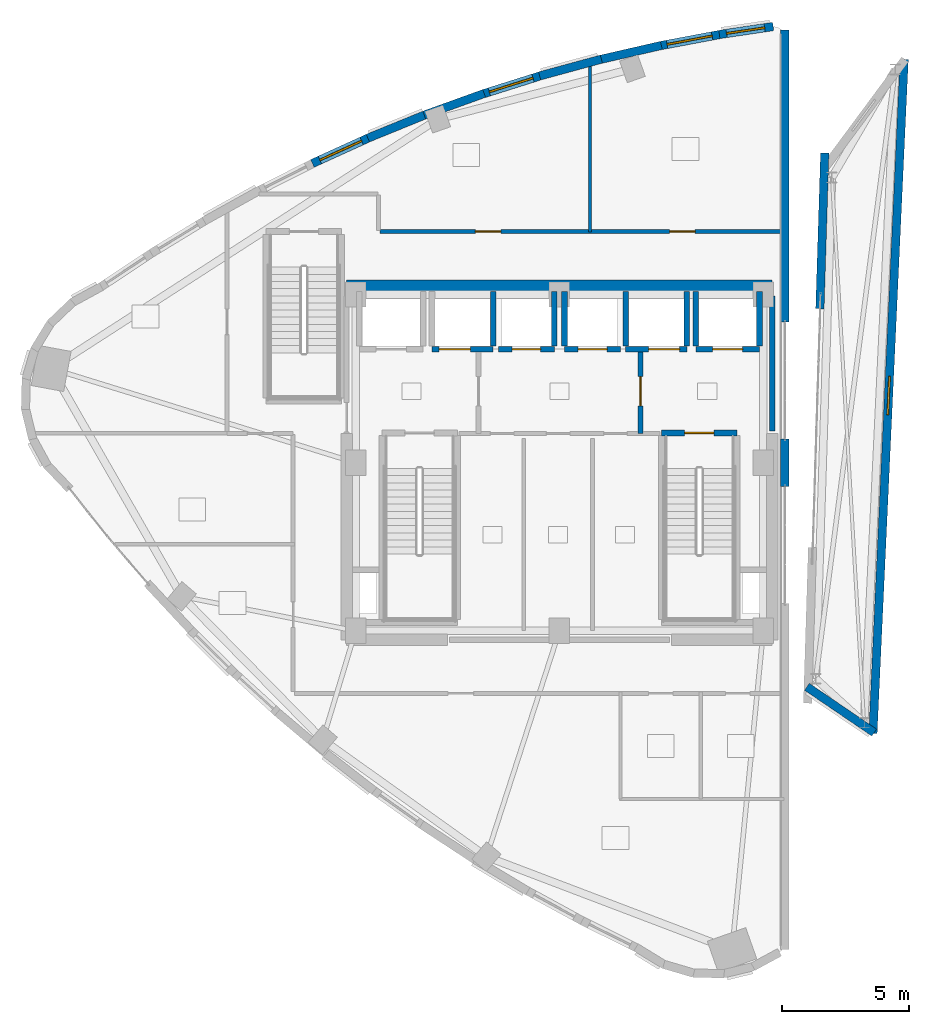
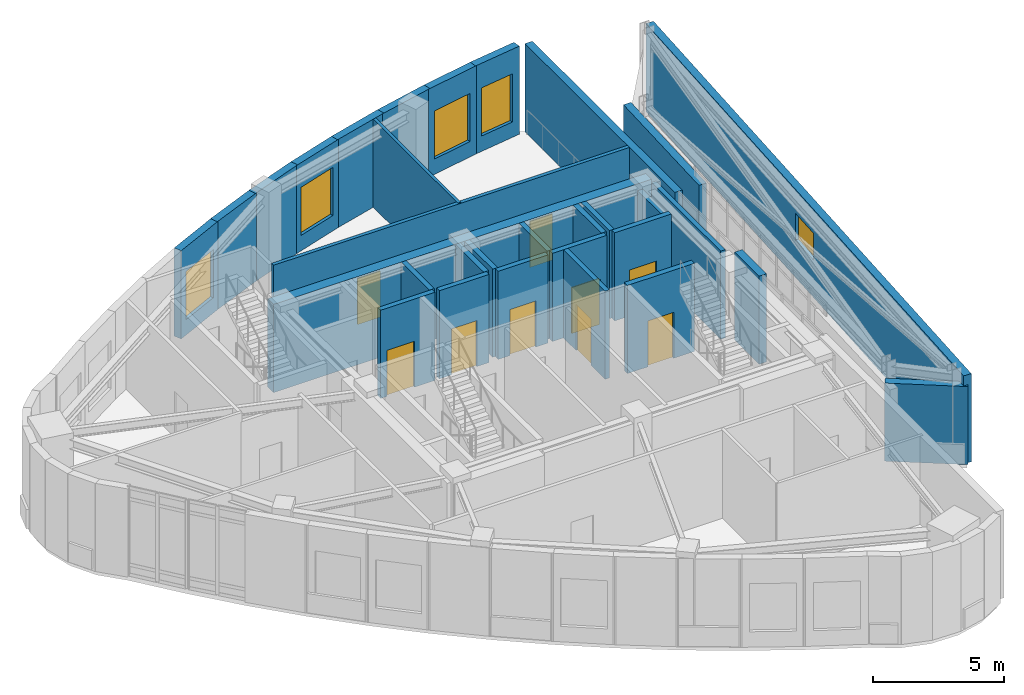
# One storey, part 15 of 19: 31 walls, 9 doors, 5 windows, 14 openings.
"""IFC4 building model written with IfcOpenShell, lengths in metres."""

from ifc_helpers import new_model, si_unit, direction, frame, frame_2d, origin, place, context, subcontext, project, spatial, rectangle, extrude, material, layer, layer_set, type_object, element, fill, save


model = new_model("IFC4")

# Units and contexts
model_context = context("Model", 3, precision=1e-05, world=origin(), true_north=direction((0.0, 1.0)))
body_context = subcontext(model_context, "Body", "Model", "MODEL_VIEW")
ifc_project = project(units=[si_unit("LENGTHUNIT", "METRE"), si_unit("AREAUNIT", "SQUARE_METRE"), si_unit("VOLUMEUNIT", "CUBIC_METRE"), si_unit("PLANEANGLEUNIT", "RADIAN"), si_unit("MASSUNIT", "GRAM", prefix="KILO")], contexts=[model_context])

# Site, building, storey
site_placement = place(None, origin())
site = spatial("IfcSite", under=ifc_project, at=site_placement, CompositionType="ELEMENT")
building_placement = place(site_placement, origin())
building = spatial("IfcBuilding", under=site, at=building_placement, Name="Ndelora Gate Hotel", CompositionType="ELEMENT")
storey_placement = place(building_placement, frame((0.0, 0.0, 299.199951171875)))
storey = spatial("IfcBuildingStorey", under=building, at=storey_placement, Name="L74", CompositionType="ELEMENT", Elevation=299.199951171875)

# Walls
ifc_material_1 = material(Name="Clay Brick Masonry", Category="masonry")
ifc_layer_1 = layer(ifc_material_1, 0.330078125)
ifc_layer_set_1 = layer_set([ifc_layer_1], Name="Clay Brick Masonry")
wall_type_1 = type_object("IfcWallType", Name="WL-BRICK-330", PredefinedType="SOLIDWALL", material=ifc_layer_set_1)
wall_1_placement = place(storey_placement, frame((8.85009765625, 0.929931640625, 0.0), z_axis=(0.0, 0.0, 1.0), x_axis=(0.0, -1.0, 0.0)))
element("IfcWall", 1, at=wall_1_placement, inside=storey, type_object=wall_type_1, Name="L74 West Crown Canyon Brick Pier 2", PredefinedType="SOLIDWALL", context=body_context, shape_type="SweptSolid", body=[
    extrude(rectangle(XDim=1.85986328125, YDim=0.330078125, at=frame_2d((0.929931640625, 0.0))), origin(), (0.0, 0.0, 1.0), 4.1201171875),
])
wall_2_placement = place(storey_placement, frame((8.85009765625, 16.986572265625, 0.0), z_axis=(0.0, 0.0, 1.0), x_axis=(0.0, -1.0, 0.0)))
element("IfcWall", 2, at=wall_2_placement, inside=storey, type_object=wall_type_1, Name="L74 West Crown Canyon Brick Pier 3", PredefinedType="SOLIDWALL", context=body_context, shape_type="SweptSolid", body=[
    extrude(rectangle(XDim=11.466552734375, YDim=0.330078125, at=frame_2d((5.7333984375, 0.0))), origin(), (0.0, 0.0, 1.0), 4.1201171875),
])
wall_3_placement = place(storey_placement, frame((10.220703125, 6.041015625, 0.0), z_axis=(0.0, 0.0, 1.0), x_axis=(0.031147484759, 0.999514799387, 0.0)))
element("IfcWall", 3, at=wall_3_placement, inside=storey, type_object=wall_type_1, Name="L74 East Crown Canyon Brick Pier 2", PredefinedType="SOLIDWALL", context=body_context, shape_type="SweptSolid", body=[
    extrude(rectangle(XDim=6.11376953125, YDim=0.330078125, at=frame_2d((3.056884765625, 0.0))), origin(), (0.0, 0.0, 1.0), 3.650146484375),
])

# Wall, opening, window
wall_4_placement = place(storey_placement, frame((6.27734375, 16.80419921875, 0.0), z_axis=(0.0, 0.0, 1.0), x_axis=(0.989170885367, 0.146768387409, 0.0)))
wall_4 = element("IfcWall", 4, at=wall_4_placement, inside=storey, type_object=wall_type_1, Name="L74 Tower Brick Pier-and-Spandrel Wall WPK-52", PredefinedType="SOLIDWALL", context=body_context, shape_type="SweptSolid", body=[
    extrude(rectangle(XDim=2.13427734375, YDim=0.330078125, at=frame_2d((1.067138671875, 0.0))), origin(), (0.0, 0.0, 1.0), 4.1201171875),
])
opening_1_placement = place(wall_4_placement, frame((0.281982421875, 0.0, 0.719970703125)))
opening_1 = element("IfcOpeningElement", 5, at=opening_1_placement, cuts=wall_4, Name="Opening W06", PredefinedType="OPENING", context=body_context, shape_type="SweptSolid", body=[
    extrude(rectangle(XDim=1.510009765625, YDim=2.25, at=frame_2d((0.7548828125, 1.125))), frame((0.0, 0.175048828125, 0.0), z_axis=(0.0, -1.0, 0.0), x_axis=(1.0, 0.0, 0.0)), (0.0, 0.0, 1.0), 0.35009765625),
])
ifc_material_2 = material(Name="Insulated Low-E Double Glazing in Bronze Aluminium Frame", Category="aluminium")
window_type_1 = type_object("IfcWindowType", Name="WN-OBS-1800", PartitioningType="SINGLE_PANEL", PredefinedType="WINDOW", material=ifc_material_2)
window_1_placement = place(opening_1_placement, origin())
window_1 = element("IfcWindow", 6, at=window_1_placement, inside=storey, type_object=window_type_1, Name="L74 Deep-Set Brick-Pier Window W06", OverallHeight=2.25, OverallWidth=1.510009765625, PartitioningType="SINGLE_PANEL", PredefinedType="WINDOW", context=body_context, shape_type="SweptSolid", body=[
    extrude(rectangle(XDim=1.510009765625, YDim=2.25, at=frame_2d((0.7548828125, 1.125))), frame((0.0, 0.030029296875, 0.0), z_axis=(0.0, -1.0, 0.0), x_axis=(1.0, 0.0, 0.0)), (0.0, 0.0, 1.0), 0.06005859375),
])
fill(opening_1, window_1)

wall_5_placement = place(storey_placement, frame((3.890869140625, 16.352294921875, 0.0), z_axis=(0.0, 0.0, 1.0), x_axis=(0.982698658406, 0.185211626978, 0.0)))
wall_5 = element("IfcWall", 7, at=wall_5_placement, inside=storey, type_object=wall_type_1, Name="L74 Tower Brick Pier-and-Spandrel Wall WPK-53", PredefinedType="SOLIDWALL", context=body_context, shape_type="SweptSolid", body=[
    extrude(rectangle(XDim=2.538818359375, YDim=0.330078125, at=frame_2d((1.26953125, 0.0))), origin(), (0.0, 0.0, 1.0), 4.1201171875),
])
opening_2_placement = place(wall_5_placement, frame((0.33935546875, 0.0, 0.719970703125)))
opening_2 = element("IfcOpeningElement", 8, at=opening_2_placement, cuts=wall_5, Name="Opening W06", PredefinedType="OPENING", context=body_context, shape_type="SweptSolid", body=[
    extrude(rectangle(XDim=1.800048828125, YDim=2.25, at=frame_2d((0.89990234375, 1.125))), frame((0.0, 0.175048828125, 0.0), z_axis=(0.0, -1.0, 0.0), x_axis=(1.0, 0.0, 0.0)), (0.0, 0.0, 1.0), 0.35009765625),
])
window_2_placement = place(opening_2_placement, origin())
window_2 = element("IfcWindow", 9, at=window_2_placement, inside=storey, type_object=window_type_1, Name="L74 Deep-Set Brick-Pier Window W06", OverallHeight=2.25, OverallWidth=1.800048828125, PartitioningType="SINGLE_PANEL", PredefinedType="WINDOW", context=body_context, shape_type="SweptSolid", body=[
    extrude(rectangle(XDim=1.800048828125, YDim=2.25, at=frame_2d((0.89990234375, 1.125))), frame((0.0, 0.030029296875, 0.0), z_axis=(0.0, -1.0, 0.0), x_axis=(1.0, 0.0, 0.0)), (0.0, 0.0, 1.0), 0.06005859375),
])
fill(opening_2, window_2)

# Walls
wall_6_placement = place(storey_placement, frame((1.539306640625, 15.810302734375, 0.0), z_axis=(0.0, 0.0, 1.0), x_axis=(0.974635230038, 0.223799393138, 0.0)))
element("IfcWall", 10, at=wall_6_placement, inside=storey, type_object=wall_type_1, Name="L74 Tower Brick Pier-and-Spandrel Wall WPK-54", PredefinedType="SOLIDWALL", context=body_context, shape_type="SweptSolid", body=[
    extrude(rectangle(XDim=2.523193359375, YDim=0.330078125, at=frame_2d((1.26171875, 0.0))), origin(), (0.0, 0.0, 1.0), 4.1201171875),
])
wall_7_placement = place(storey_placement, frame((-0.777099609375, 15.177734375, 0.0), z_axis=(0.0, 0.0, 1.0), x_axis=(0.964907263861, 0.262590883596, 0.0)))
element("IfcWall", 11, at=wall_7_placement, inside=storey, type_object=wall_type_1, Name="L74 Tower Brick Pier-and-Spandrel Wall WPK-55", PredefinedType="SOLIDWALL", context=body_context, shape_type="SweptSolid", body=[
    extrude(rectangle(XDim=2.51123046875, YDim=0.330078125, at=frame_2d((1.255615234375, 0.0))), origin(), (0.0, 0.0, 1.0), 4.1201171875),
])

# Wall, opening, window
wall_8_placement = place(storey_placement, frame((-3.05859375, 14.454833984375, 0.0), z_axis=(0.0, 0.0, 1.0), x_axis=(0.953576769374, 0.301150037209, 0.0)))
wall_8 = element("IfcWall", 12, at=wall_8_placement, inside=storey, type_object=wall_type_1, Name="L74 Tower Brick Pier-and-Spandrel Wall WPK-56", PredefinedType="SOLIDWALL", context=body_context, shape_type="SweptSolid", body=[
    extrude(rectangle(XDim=2.50341796875, YDim=0.330078125, at=frame_2d((1.251708984375, 0.0))), origin(), (0.0, 0.0, 1.0), 4.1201171875),
])
opening_3_placement = place(wall_8_placement, frame((0.321533203125, 0.0, 0.719970703125)))
opening_3 = element("IfcOpeningElement", 13, at=opening_3_placement, cuts=wall_8, Name="Opening W06", PredefinedType="OPENING", context=body_context, shape_type="SweptSolid", body=[
    extrude(rectangle(XDim=1.800048828125, YDim=2.25, at=frame_2d((0.89990234375, 1.125))), frame((0.0, 0.175048828125, 0.0), z_axis=(0.0, -1.0, 0.0), x_axis=(1.0, 0.0, 0.0)), (0.0, 0.0, 1.0), 0.35009765625),
])
window_3_placement = place(opening_3_placement, origin())
window_3 = element("IfcWindow", 14, at=window_3_placement, inside=storey, type_object=window_type_1, Name="L74 Deep-Set Brick-Pier Window W06", OverallHeight=2.25, OverallWidth=1.800048828125, PartitioningType="SINGLE_PANEL", PredefinedType="WINDOW", context=body_context, shape_type="SweptSolid", body=[
    extrude(rectangle(XDim=1.800048828125, YDim=2.25, at=frame_2d((0.89990234375, 1.125))), frame((0.0, 0.030029296875, 0.0), z_axis=(0.0, -1.0, 0.0), x_axis=(1.0, 0.0, 0.0)), (0.0, 0.0, 1.0), 0.06005859375),
])
fill(opening_3, window_3)

# Walls
for number, where, z_axis, x_axis, name in (
    (15, (-5.30517578125, 13.6416015625, 0.0), (0.0, 0.0, 1.0), (0.940589433812, 0.33954604548, 0.0), "L74 Tower Brick Pier-and-Spandrel Wall WPK-57"),
    (16, (-7.51708984375, 12.73779296875, 0.0), (0.0, 0.0, 1.0), (0.926065809797, 0.377362048866, 0.0), "L74 Tower Brick Pier-and-Spandrel Wall WPK-58"),
):
    element("IfcWall", number, at=place(storey_placement, frame(where, z_axis=z_axis, x_axis=x_axis)), inside=storey, type_object=wall_type_1, Name=name, PredefinedType="SOLIDWALL", context=body_context, shape_type="SweptSolid", body=[
        extrude(rectangle(XDim=2.499267578125, YDim=0.330078125, at=frame_2d((1.24951171875, 0.0))), origin(), (0.0, 0.0, 1.0), 4.1201171875),
    ])

# Wall, opening, window
wall_9_placement = place(storey_placement, frame((-9.694091796875, 11.743896484375, 0.0), z_axis=(0.0, 0.0, 1.0), x_axis=(0.910048904543, 0.414500894257, 0.0)))
wall_9 = element("IfcWall", 17, at=wall_9_placement, inside=storey, type_object=wall_type_1, Name="L74 Tower Brick Pier-and-Spandrel Wall WPK-59", PredefinedType="SOLIDWALL", context=body_context, shape_type="SweptSolid", body=[
    extrude(rectangle(XDim=2.503173828125, YDim=0.330078125, at=frame_2d((1.25146484375, 0.0))), origin(), (0.0, 0.0, 1.0), 4.1201171875),
])
opening_4_placement = place(wall_9_placement, frame((0.321533203125, 0.0, 0.719970703125)))
opening_4 = element("IfcOpeningElement", 18, at=opening_4_placement, cuts=wall_9, Name="Opening W06", PredefinedType="OPENING", context=body_context, shape_type="SweptSolid", body=[
    extrude(rectangle(XDim=1.800048828125, YDim=2.25, at=frame_2d((0.89990234375, 1.125))), frame((0.0, 0.175048828125, 0.0), z_axis=(0.0, -1.0, 0.0), x_axis=(1.0, 0.0, 0.0)), (0.0, 0.0, 1.0), 0.35009765625),
])
window_4_placement = place(opening_4_placement, origin())
window_4 = element("IfcWindow", 19, at=window_4_placement, inside=storey, type_object=window_type_1, Name="L74 Deep-Set Brick-Pier Window W06", OverallHeight=2.25, OverallWidth=1.800048828125, PartitioningType="SINGLE_PANEL", PredefinedType="WINDOW", context=body_context, shape_type="SweptSolid", body=[
    extrude(rectangle(XDim=1.800048828125, YDim=2.25, at=frame_2d((0.89990234375, 1.125))), frame((0.0, 0.030029296875, 0.0), z_axis=(0.0, -1.0, 0.0), x_axis=(1.0, 0.0, 0.0)), (0.0, 0.0, 1.0), 0.06005859375),
])
fill(opening_4, window_4)

# Wall
wall_10_placement = place(storey_placement, frame((12.352294921875, -10.593017578125, 0.0), z_axis=(0.0, 0.0, 1.0), x_axis=(-0.82687387766, 0.562387402459, 0.0)))
element("IfcWall", 20, at=wall_10_placement, inside=storey, type_object=wall_type_1, Name="L74 Tower Brick Pier-and-Spandrel Wall EPK-1", PredefinedType="SOLIDWALL", context=body_context, shape_type="SweptSolid", body=[
    extrude(rectangle(XDim=3.19287109375, YDim=0.330078125, at=frame_2d((1.596435546875, 0.0))), origin(), (0.0, 0.0, 1.0), 3.650146484375),
])

# Wall, opening, window
wall_11_placement = place(storey_placement, frame((13.529541015625, 15.833251953125, 0.0), z_axis=(0.0, 0.0, 1.0), x_axis=(-0.046267121777, -0.998929103311, 0.0)))
wall_11 = element("IfcWall", 21, at=wall_11_placement, inside=storey, type_object=wall_type_1, Name="L74 Tower Brick Pier-and-Spandrel Wall EPK-2", PredefinedType="SOLIDWALL", context=body_context, shape_type="SweptSolid", body=[
    extrude(rectangle(XDim=26.478759765625, YDim=0.330078125, at=frame_2d((13.2392578125, 0.0))), origin(), (0.0, 0.0, 1.0), 4.1201171875),
])
opening_5_placement = place(wall_11_placement, frame((12.45947265625, 0.0, 1.75)))
opening_5 = element("IfcOpeningElement", 22, at=opening_5_placement, cuts=wall_11, Name="Opening W07", PredefinedType="OPENING", context=body_context, shape_type="SweptSolid", body=[
    extrude(rectangle(XDim=1.5, YDim=1.25, at=frame_2d((0.75, 0.625))), frame((0.0, 0.175048828125, 0.0), z_axis=(0.0, -1.0, 0.0), x_axis=(1.0, 0.0, 0.0)), (0.0, 0.0, 1.0), 0.35009765625),
])
window_type_2 = type_object("IfcWindowType", Name="WN-CLER-1500", PartitioningType="SINGLE_PANEL", PredefinedType="LIGHTDOME", material=ifc_material_2)
window_5_placement = place(opening_5_placement, origin())
window_5 = element("IfcWindow", 23, at=window_5_placement, inside=storey, type_object=window_type_2, Name="L74 East Peak Lantern Clerestory Window W07", OverallHeight=1.25, OverallWidth=1.5, PartitioningType="SINGLE_PANEL", PredefinedType="LIGHTDOME", context=body_context, shape_type="SweptSolid", body=[
    extrude(rectangle(XDim=1.5, YDim=1.25, at=frame_2d((0.75, 0.625))), frame((0.0, 0.030029296875, 0.0), z_axis=(0.0, -1.0, 0.0), x_axis=(1.0, 0.0, 0.0)), (0.0, 0.0, 1.0), 0.06005859375),
])
fill(opening_5, window_5)

# Wall
ifc_material_3 = material(Name="Concrete C50/60", Category="concrete")
ifc_layer_2 = layer(ifc_material_3, 0.449951171875)
ifc_layer_set_2 = layer_set([ifc_layer_2], Name="Concrete C50/60")
wall_type_2 = type_object("IfcWallType", Name="WL-CORE-450", PredefinedType="SHEAR", material=ifc_layer_set_2)
wall_12_placement = place(storey_placement, frame((-8.35009765625, 6.949951171875, 0.0), z_axis=(0.0, 0.0, 1.0), x_axis=(1.0, 0.0, 0.0)))
element("IfcWall", 24, at=wall_12_placement, inside=storey, type_object=wall_type_2, Name="L74 Core Shear Wall N", PredefinedType="SHEAR", context=body_context, shape_type="SweptSolid", body=[
    extrude(rectangle(XDim=16.7001953125, YDim=0.449951171875, at=frame_2d((8.35009765625, 0.0))), origin(), (0.0, 0.0, 1.0), 4.1201171875),
])

# Wall, opening, door
ifc_material_4 = material(Name="Concrete C40/50", Category="concrete")
ifc_layer_3 = layer(ifc_material_4, 0.199951171875)
ifc_layer_set_3 = layer_set([ifc_layer_3], Name="Concrete C40/50")
wall_type_3 = type_object("IfcWallType", Name="WL-FIRE-200", PredefinedType="PARTITIONING", material=ifc_layer_set_3)
wall_13_placement = place(storey_placement, frame((3.179931640625, 1.14990234375, 0.0), z_axis=(0.0, 0.0, 1.0), x_axis=(0.0, 1.0, 0.0)))
wall_13 = element("IfcWall", 25, at=wall_13_placement, inside=storey, type_object=wall_type_3, Name="L74 Interior Wall IW-2", PredefinedType="PARTITIONING", context=body_context, shape_type="SweptSolid", body=[
    extrude(rectangle(XDim=3.300048828125, YDim=0.199951171875, at=frame_2d((1.64990234375, 0.0))), origin(), (0.0, 0.0, 1.0), 4.1201171875),
])
opening_6_placement = place(wall_13_placement, frame((1.080078125, 0.0, 0.0)))
opening_6 = element("IfcOpeningElement", 26, at=opening_6_placement, cuts=wall_13, Name="Opening FD1", PredefinedType="OPENING", context=body_context, shape_type="SweptSolid", body=[
    extrude(rectangle(XDim=1.14990234375, YDim=2.14990234375, at=frame_2d((0.574951171875, 1.074951171875))), frame((0.0, 0.10986328125, 0.0), z_axis=(0.0, -1.0, 0.0), x_axis=(1.0, 0.0, 0.0)), (0.0, 0.0, 1.0), 0.219970703125),
])
ifc_material_5 = material(Name="Fire-Rated Timber-Veneer Steel Core", Category="steel")
door_type_1 = type_object("IfcDoorType", Name="DR-FD60", OperationType="SINGLE_SWING_LEFT", PredefinedType="DOOR", material=ifc_material_5)
door_1_placement = place(opening_6_placement, origin())
door_1 = element("IfcDoor", 27, at=door_1_placement, inside=storey, type_object=door_type_1, Name="L74 Firefighting Lobby East Door", OperationType="SINGLE_SWING_LEFT", OverallHeight=2.14990234375, OverallWidth=1.14990234375, PredefinedType="DOOR", context=body_context, shape_type="SweptSolid", body=[
    extrude(rectangle(XDim=1.14990234375, YDim=2.14990234375, at=frame_2d((0.574951171875, 1.074951171875))), frame((0.0, 0.02490234375, 0.0), z_axis=(0.0, -1.0, 0.0), x_axis=(1.0, 0.0, 0.0)), (0.0, 0.0, 1.0), 0.050048828125),
])
fill(opening_6, door_1)

# Wall
wall_14_placement = place(storey_placement, frame((8.35009765625, 1.25, 0.0), z_axis=(0.0, 0.0, 1.0), x_axis=(0.0, 1.0, 0.0)))
element("IfcWall", 28, at=wall_14_placement, inside=storey, type_object=wall_type_3, Name="L74 Interior Wall IW-2", PredefinedType="PARTITIONING", context=body_context, shape_type="SweptSolid", body=[
    extrude(rectangle(XDim=5.300048828125, YDim=0.199951171875, at=frame_2d((2.64990234375, 0.0))), origin(), (0.0, 0.0, 1.0), 4.1201171875),
])

# Wall, openings, doors
ifc_material_6 = material(Name="Fire-Rated Gypsum Stud Partition", Category="gypsum")
ifc_layer_4 = layer(ifc_material_6, 0.159912109375)
ifc_layer_set_4 = layer_set([ifc_layer_4], Name="Fire-Rated Gypsum Stud Partition")
wall_type_4 = type_object("IfcWallType", Name="WL-PART-160", PredefinedType="PARTITIONING", material=ifc_layer_set_4)
wall_15_placement = place(storey_placement, frame((8.699951171875, 9.070068359375, 0.0), z_axis=(0.0, 0.0, 1.0), x_axis=(-1.0, 0.0, 0.0)))
wall_15 = element("IfcWall", 29, at=wall_15_placement, inside=storey, type_object=wall_type_4, Name="L74 Interior Wall IW-4", PredefinedType="PARTITIONING", context=body_context, shape_type="SweptSolid", body=[
    extrude(rectangle(XDim=15.75, YDim=0.159912109375, at=frame_2d((7.875, 0.0))), origin(), (0.0, 0.0, 1.0), 4.1201171875),
])
opening_7_placement = place(wall_15_placement, frame((10.9951171875, 0.0, 0.0)))
opening_7 = element("IfcOpeningElement", 30, at=opening_7_placement, cuts=wall_15, Name="Opening D01", PredefinedType="OPENING", context=body_context, shape_type="SweptSolid", body=[
    extrude(rectangle(XDim=1.0, YDim=2.14990234375, at=frame_2d((0.5, 1.074951171875))), frame((0.0, 0.08984375, 0.0), z_axis=(0.0, -1.0, 0.0), x_axis=(1.0, 0.0, 0.0)), (0.0, 0.0, 1.0), 0.179931640625),
])
opening_8_placement = place(wall_15_placement, frame((3.3798828125, 0.0, 0.0)))
opening_8 = element("IfcOpeningElement", 31, at=opening_8_placement, cuts=wall_15, Name="Opening D01", PredefinedType="OPENING", context=body_context, shape_type="SweptSolid", body=[
    extrude(rectangle(XDim=1.0, YDim=2.14990234375, at=frame_2d((0.5, 1.074951171875))), frame((0.0, 0.08984375, 0.0), z_axis=(0.0, -1.0, 0.0), x_axis=(1.0, 0.0, 0.0)), (0.0, 0.0, 1.0), 0.179931640625),
])
ifc_material_7 = material(Name="Acoustic Hardwood Guest Entrance Door", Category="wood")
door_type_2 = type_object("IfcDoorType", Name="DR-COR-1000", OperationType="SINGLE_SWING_LEFT", PredefinedType="DOOR", material=ifc_material_7)
door_2_placement = place(opening_7_placement, origin())
door_2 = element("IfcDoor", 32, at=door_2_placement, inside=storey, type_object=door_type_2, Name="L74 Summit Crown Banquet Dining Room Door", OperationType="SINGLE_SWING_LEFT", OverallHeight=2.14990234375, OverallWidth=1.0, PredefinedType="DOOR", context=body_context, shape_type="SweptSolid", body=[
    extrude(rectangle(XDim=1.0, YDim=2.14990234375, at=frame_2d((0.5, 1.074951171875))), frame((0.0, 0.02490234375, 0.0), z_axis=(0.0, -1.0, 0.0), x_axis=(1.0, 0.0, 0.0)), (0.0, 0.0, 1.0), 0.050048828125),
])
fill(opening_7, door_2)
door_3_placement = place(opening_8_placement, origin())
door_3 = element("IfcDoor", 33, at=door_3_placement, inside=storey, type_object=door_type_2, Name="L74 Executive Sky Boardroom Door", OperationType="SINGLE_SWING_RIGHT", OverallHeight=2.14990234375, OverallWidth=1.0, PredefinedType="DOOR", context=body_context, shape_type="SweptSolid", body=[
    extrude(rectangle(XDim=1.0, YDim=2.14990234375, at=frame_2d((0.5, 1.074951171875))), frame((0.0, 0.02490234375, 0.0), z_axis=(0.0, -1.0, 0.0), x_axis=(1.0, 0.0, 0.0)), (0.0, 0.0, 1.0), 0.050048828125),
])
fill(opening_8, door_3)

# Wall, opening, door
ifc_layer_5 = layer(ifc_material_4, 0.219970703125)
ifc_layer_set_5 = layer_set([ifc_layer_5], Name="Concrete C40/50")
wall_type_5 = type_object("IfcWallType", Name="WL-SHAFT-220", PredefinedType="PARTITIONING", material=ifc_layer_set_5)
wall_16_placement = place(storey_placement, frame((5.35009765625, 4.449951171875, 0.0), z_axis=(0.0, 0.0, 1.0), x_axis=(1.0, 0.0, 0.0)))
wall_16 = element("IfcWall", 34, at=wall_16_placement, inside=storey, type_object=wall_type_5, Name="L74 Interior Wall IW-1", PredefinedType="PARTITIONING", context=body_context, shape_type="SweptSolid", body=[
    extrude(rectangle(XDim=2.5, YDim=0.219970703125, at=frame_2d((1.25, 0.0))), origin(), (0.0, 0.0, 1.0), 4.1201171875),
])
opening_9_placement = place(wall_16_placement, frame((0.659912109375, 0.0, 0.0)))
opening_9 = element("IfcOpeningElement", 35, at=opening_9_placement, cuts=wall_16, Name="Opening LD5", PredefinedType="OPENING", context=body_context, shape_type="SweptSolid", body=[
    extrude(rectangle(XDim=1.179931640625, YDim=2.14990234375, at=frame_2d((0.58984375, 1.074951171875))), frame((0.0, 0.1201171875, 0.0), z_axis=(0.0, -1.0, 0.0), x_axis=(1.0, 0.0, 0.0)), (0.0, 0.0, 1.0), 0.239990234375),
])
ifc_material_8 = material(Name="Firefighting Lift Stainless Sliding Landing Door", Category="metal")
door_type_3 = type_object("IfcDoorType", Name="DR-LD5", OperationType="DOUBLE_DOOR_SLIDING", PredefinedType="DOOR", material=ifc_material_8)
door_4_placement = place(opening_9_placement, origin())
door_4 = element("IfcDoor", 36, at=door_4_placement, inside=storey, type_object=door_type_3, Name="L74 Lift Landing Sliding Door FFL2", OperationType="DOUBLE_DOOR_SLIDING", OverallHeight=2.14990234375, OverallWidth=1.179931640625, PredefinedType="DOOR", context=body_context, shape_type="SweptSolid", body=[
    extrude(rectangle(XDim=1.179931640625, YDim=2.14990234375, at=frame_2d((0.58984375, 1.074951171875))), frame((0.0, 0.02490234375, 0.0), z_axis=(0.0, -1.0, 0.0), x_axis=(1.0, 0.0, 0.0)), (0.0, 0.0, 1.0), 0.050048828125),
])
fill(opening_9, door_4)

# Walls
wall_17_placement = place(storey_placement, frame((5.35009765625, 4.570068359375, 0.0), z_axis=(0.0, 0.0, 1.0), x_axis=(0.0, 1.0, 0.0)))
element("IfcWall", 37, at=wall_17_placement, inside=storey, type_object=wall_type_5, Name="L74 Interior Wall IW-1", PredefinedType="PARTITIONING", context=body_context, shape_type="SweptSolid", body=[
    extrude(rectangle(XDim=2.155029296875, YDim=0.219970703125, at=frame_2d((1.07763671875, 0.0))), origin(), (0.0, 0.0, 1.0), 4.1201171875),
])
wall_18_placement = place(storey_placement, frame((7.85009765625, 4.570068359375, 0.0), z_axis=(0.0, 0.0, 1.0), x_axis=(0.0, 1.0, 0.0)))
element("IfcWall", 38, at=wall_18_placement, inside=storey, type_object=wall_type_5, Name="L74 Interior Wall IW-1", PredefinedType="PARTITIONING", context=body_context, shape_type="SweptSolid", body=[
    extrude(rectangle(XDim=2.155029296875, YDim=0.219970703125, at=frame_2d((1.07763671875, 0.0))), origin(), (0.0, 0.0, 1.0), 3.800048828125),
])

# Wall, opening, door
wall_19_placement = place(storey_placement, frame((-5.0, 4.449951171875, 0.0), z_axis=(0.0, 0.0, 1.0), x_axis=(1.0, 0.0, 0.0)))
wall_19 = element("IfcWall", 39, at=wall_19_placement, inside=storey, type_object=wall_type_5, Name="L74 Interior Wall IW-1", PredefinedType="PARTITIONING", context=body_context, shape_type="SweptSolid", body=[
    extrude(rectangle(XDim=2.39990234375, YDim=0.219970703125, at=frame_2d((1.199951171875, 0.0))), origin(), (0.0, 0.0, 1.0), 4.1201171875),
])
opening_10_placement = place(wall_19_placement, frame((0.280029296875, 0.0, 0.0)))
opening_10 = element("IfcOpeningElement", 40, at=opening_10_placement, cuts=wall_19, Name="Opening LD6", PredefinedType="OPENING", context=body_context, shape_type="SweptSolid", body=[
    extrude(rectangle(XDim=1.219970703125, YDim=2.14990234375, at=frame_2d((0.60986328125, 1.074951171875))), frame((0.0, 0.1201171875, 0.0), z_axis=(0.0, -1.0, 0.0), x_axis=(1.0, 0.0, 0.0)), (0.0, 0.0, 1.0), 0.239990234375),
])
ifc_material_9 = material(Name="Heavy-Duty Service Lift Sliding Landing Door", Category="wood")
door_type_4 = type_object("IfcDoorType", Name="DR-LD6", OperationType="DOUBLE_DOOR_SLIDING", PredefinedType="DOOR", material=ifc_material_9)
door_5_placement = place(opening_10_placement, origin())
door_5 = element("IfcDoor", 41, at=door_5_placement, inside=storey, type_object=door_type_4, Name="L74 Lift Landing Sliding Door SVL1", OperationType="DOUBLE_DOOR_SLIDING", OverallHeight=2.14990234375, OverallWidth=1.219970703125, PredefinedType="DOOR", context=body_context, shape_type="SweptSolid", body=[
    extrude(rectangle(XDim=1.219970703125, YDim=2.14990234375, at=frame_2d((0.60986328125, 1.074951171875))), frame((0.0, 0.02490234375, 0.0), z_axis=(0.0, -1.0, 0.0), x_axis=(1.0, 0.0, 0.0)), (0.0, 0.0, 1.0), 0.050048828125),
])
fill(opening_10, door_5)

# Wall
wall_20_placement = place(storey_placement, frame((-2.60009765625, 4.570068359375, 0.0), z_axis=(0.0, 0.0, 1.0), x_axis=(0.0, 1.0, 0.0)))
element("IfcWall", 42, at=wall_20_placement, inside=storey, type_object=wall_type_5, Name="L74 Interior Wall IW-1", PredefinedType="PARTITIONING", context=body_context, shape_type="SweptSolid", body=[
    extrude(rectangle(XDim=2.155029296875, YDim=0.219970703125, at=frame_2d((1.07763671875, 0.0))), origin(), (0.0, 0.0, 1.0), 4.1201171875),
])

# Wall, opening, door
wall_21_placement = place(storey_placement, frame((2.60009765625, 4.449951171875, 0.0), z_axis=(0.0, 0.0, 1.0), x_axis=(1.0, 0.0, 0.0)))
wall_21 = element("IfcWall", 43, at=wall_21_placement, inside=storey, type_object=wall_type_5, Name="L74 Interior Wall IW-1", PredefinedType="PARTITIONING", context=body_context, shape_type="SweptSolid", body=[
    extrude(rectangle(XDim=2.39990234375, YDim=0.219970703125, at=frame_2d((1.199951171875, 0.0))), origin(), (0.0, 0.0, 1.0), 4.1201171875),
])
opening_11_placement = place(wall_21_placement, frame((0.89990234375, 0.0, 0.0)))
opening_11 = element("IfcOpeningElement", 44, at=opening_11_placement, cuts=wall_21, Name="Opening LD6", PredefinedType="OPENING", context=body_context, shape_type="SweptSolid", body=[
    extrude(rectangle(XDim=1.219970703125, YDim=2.14990234375, at=frame_2d((0.60986328125, 1.074951171875))), frame((0.0, 0.1201171875, 0.0), z_axis=(0.0, -1.0, 0.0), x_axis=(1.0, 0.0, 0.0)), (0.0, 0.0, 1.0), 0.239990234375),
])
door_6_placement = place(opening_11_placement, origin())
door_6 = element("IfcDoor", 45, at=door_6_placement, inside=storey, type_object=door_type_4, Name="L74 Lift Landing Sliding Door SVL2", OperationType="DOUBLE_DOOR_SLIDING", OverallHeight=2.14990234375, OverallWidth=1.219970703125, PredefinedType="DOOR", context=body_context, shape_type="SweptSolid", body=[
    extrude(rectangle(XDim=1.219970703125, YDim=2.14990234375, at=frame_2d((0.60986328125, 1.074951171875))), frame((0.0, 0.02490234375, 0.0), z_axis=(0.0, -1.0, 0.0), x_axis=(1.0, 0.0, 0.0)), (0.0, 0.0, 1.0), 0.050048828125),
])
fill(opening_11, door_6)

# Walls
for number, where, z_axis, x_axis, name in (
    (46, (2.60009765625, 4.570068359375, 0.0), (0.0, 0.0, 1.0), (0.0, 1.0, 0.0), "L74 Interior Wall IW-1"),
    (47, (5.0, 4.570068359375, 0.0), (0.0, 0.0, 1.0), (0.0, 1.0, 0.0), "L74 Interior Wall IW-1"),
):
    element("IfcWall", number, at=place(storey_placement, frame(where, z_axis=z_axis, x_axis=x_axis)), inside=storey, type_object=wall_type_5, Name=name, PredefinedType="PARTITIONING", context=body_context, shape_type="SweptSolid", body=[
        extrude(rectangle(XDim=2.155029296875, YDim=0.219970703125, at=frame_2d((1.07763671875, 0.0))), origin(), (0.0, 0.0, 1.0), 4.1201171875),
    ])

# Wall, opening, door
wall_22_placement = place(storey_placement, frame((-2.39990234375, 4.449951171875, 0.0), z_axis=(0.0, 0.0, 1.0), x_axis=(1.0, 0.0, 0.0)))
wall_22 = element("IfcWall", 48, at=wall_22_placement, inside=storey, type_object=wall_type_5, Name="L74 Interior Wall IW-1", PredefinedType="PARTITIONING", context=body_context, shape_type="SweptSolid", body=[
    extrude(rectangle(XDim=2.199951171875, YDim=0.219970703125, at=frame_2d((1.10009765625, 0.0))), origin(), (0.0, 0.0, 1.0), 4.1201171875),
])
opening_12_placement = place(wall_22_placement, frame((0.5400390625, 0.0, 0.0)))
opening_12 = element("IfcOpeningElement", 49, at=opening_12_placement, cuts=wall_22, Name="Opening LD3", PredefinedType="OPENING", context=body_context, shape_type="SweptSolid", body=[
    extrude(rectangle(XDim=1.1201171875, YDim=2.14990234375, at=frame_2d((0.56005859375, 1.074951171875))), frame((0.0, 0.1201171875, 0.0), z_axis=(0.0, -1.0, 0.0), x_axis=(1.0, 0.0, 0.0)), (0.0, 0.0, 1.0), 0.239990234375),
])
ifc_material_10 = material(Name="Brushed Bronze Stainless Lift Landing Door", Category="metal")
door_type_5 = type_object("IfcDoorType", Name="DR-LD3", OperationType="DOUBLE_DOOR_SLIDING", PredefinedType="DOOR", material=ifc_material_10)
door_7_placement = place(opening_12_placement, origin())
door_7 = element("IfcDoor", 50, at=door_7_placement, inside=storey, type_object=door_type_5, Name="L74 Lift Landing Sliding Door P3A", OperationType="DOUBLE_DOOR_SLIDING", OverallHeight=2.14990234375, OverallWidth=1.1201171875, PredefinedType="DOOR", context=body_context, shape_type="SweptSolid", body=[
    extrude(rectangle(XDim=1.1201171875, YDim=2.14990234375, at=frame_2d((0.56005859375, 1.074951171875))), frame((0.0, 0.02490234375, 0.0), z_axis=(0.0, -1.0, 0.0), x_axis=(1.0, 0.0, 0.0)), (0.0, 0.0, 1.0), 0.050048828125),
])
fill(opening_12, door_7)

# Wall
wall_23_placement = place(storey_placement, frame((-0.199951171875, 4.570068359375, 0.0), z_axis=(0.0, 0.0, 1.0), x_axis=(0.0, 1.0, 0.0)))
element("IfcWall", 51, at=wall_23_placement, inside=storey, type_object=wall_type_5, Name="L74 Interior Wall IW-1", PredefinedType="PARTITIONING", context=body_context, shape_type="SweptSolid", body=[
    extrude(rectangle(XDim=2.155029296875, YDim=0.219970703125, at=frame_2d((1.07763671875, 0.0))), origin(), (0.0, 0.0, 1.0), 4.1201171875),
])

# Wall, opening, door
wall_24_placement = place(storey_placement, frame((0.199951171875, 4.449951171875, 0.0), z_axis=(0.0, 0.0, 1.0), x_axis=(1.0, 0.0, 0.0)))
wall_24 = element("IfcWall", 52, at=wall_24_placement, inside=storey, type_object=wall_type_5, Name="L74 Interior Wall IW-1", PredefinedType="PARTITIONING", context=body_context, shape_type="SweptSolid", body=[
    extrude(rectangle(XDim=2.199951171875, YDim=0.219970703125, at=frame_2d((1.10009765625, 0.0))), origin(), (0.0, 0.0, 1.0), 4.1201171875),
])
opening_13_placement = place(wall_24_placement, frame((0.530029296875, 0.0, 0.0)))
opening_13 = element("IfcOpeningElement", 53, at=opening_13_placement, cuts=wall_24, Name="Opening LD4", PredefinedType="OPENING", context=body_context, shape_type="SweptSolid", body=[
    extrude(rectangle(XDim=1.139892578125, YDim=2.14990234375, at=frame_2d((0.56982421875, 1.074951171875))), frame((0.0, 0.1201171875, 0.0), z_axis=(0.0, -1.0, 0.0), x_axis=(1.0, 0.0, 0.0)), (0.0, 0.0, 1.0), 0.239990234375),
])
door_type_6 = type_object("IfcDoorType", Name="DR-LD4", OperationType="DOUBLE_DOOR_SLIDING", PredefinedType="DOOR", material=ifc_material_10)
door_8_placement = place(opening_13_placement, origin())
door_8 = element("IfcDoor", 54, at=door_8_placement, inside=storey, type_object=door_type_6, Name="L74 Lift Landing Sliding Door EX1", OperationType="DOUBLE_DOOR_SLIDING", OverallHeight=2.14990234375, OverallWidth=1.139892578125, PredefinedType="DOOR", context=body_context, shape_type="SweptSolid", body=[
    extrude(rectangle(XDim=1.139892578125, YDim=2.14990234375, at=frame_2d((0.56982421875, 1.074951171875))), frame((0.0, 0.02490234375, 0.0), z_axis=(0.0, -1.0, 0.0), x_axis=(1.0, 0.0, 0.0)), (0.0, 0.0, 1.0), 0.050048828125),
])
fill(opening_13, door_8)

# Wall
wall_25_placement = place(storey_placement, frame((0.199951171875, 4.570068359375, 0.0), z_axis=(0.0, 0.0, 1.0), x_axis=(0.0, 1.0, 0.0)))
element("IfcWall", 55, at=wall_25_placement, inside=storey, type_object=wall_type_5, Name="L74 Interior Wall IW-1", PredefinedType="PARTITIONING", context=body_context, shape_type="SweptSolid", body=[
    extrude(rectangle(XDim=2.155029296875, YDim=0.219970703125, at=frame_2d((1.07763671875, 0.0))), origin(), (0.0, 0.0, 1.0), 4.1201171875),
])

# Wall, opening, door
ifc_layer_6 = layer(ifc_material_3, 0.239990234375)
ifc_layer_set_6 = layer_set([ifc_layer_6], Name="Concrete C50/60")
wall_type_6 = type_object("IfcWallType", Name="WL-STAIR-240", PredefinedType="SHEAR", material=ifc_layer_set_6)
wall_26_placement = place(storey_placement, frame((4.010009765625, 1.169921875, 0.0), z_axis=(0.0, 0.0, 1.0), x_axis=(1.0, 0.0, 0.0)))
wall_26 = element("IfcWall", 56, at=wall_26_placement, inside=storey, type_object=wall_type_6, Name="L74 Stair Core Shear Wall SW-ST", PredefinedType="SHEAR", context=body_context, shape_type="SweptSolid", body=[
    extrude(rectangle(XDim=2.9599609375, YDim=0.239990234375, at=frame_2d((1.47998046875, 0.0))), origin(), (0.0, 0.0, 1.0), 4.1201171875),
])
opening_14_placement = place(wall_26_placement, frame((0.89990234375, 0.0, 0.0)))
opening_14 = element("IfcOpeningElement", 57, at=opening_14_placement, cuts=wall_26, Name="Opening FD1", PredefinedType="OPENING", context=body_context, shape_type="SweptSolid", body=[
    extrude(rectangle(XDim=1.14990234375, YDim=2.14990234375, at=frame_2d((0.574951171875, 1.074951171875))), frame((0.0, 0.1298828125, 0.0), z_axis=(0.0, -1.0, 0.0), x_axis=(1.0, 0.0, 0.0)), (0.0, 0.0, 1.0), 0.260009765625),
])
door_9_placement = place(opening_14_placement, origin())
door_9 = element("IfcDoor", 58, at=door_9_placement, inside=storey, type_object=door_type_1, Name="L74 Exit Stair ST5 Door", OperationType="SINGLE_SWING_RIGHT", OverallHeight=2.14990234375, OverallWidth=1.14990234375, PredefinedType="DOOR", context=body_context, shape_type="SweptSolid", body=[
    extrude(rectangle(XDim=1.14990234375, YDim=2.14990234375, at=frame_2d((0.574951171875, 1.074951171875))), frame((0.0, 0.02490234375, 0.0), z_axis=(0.0, -1.0, 0.0), x_axis=(1.0, 0.0, 0.0)), (0.0, 0.0, 1.0), 0.050048828125),
])
fill(opening_14, door_9)

# Wall
ifc_material_11 = material(Name="Moisture-Resistant Fire-Rated Tile Partition", Category="gypsum")
ifc_layer_7 = layer(ifc_material_11, 0.1298828125)
ifc_layer_set_7 = layer_set([ifc_layer_7], Name="Moisture-Resistant Fire-Rated Tile Partition")
wall_type_7 = type_object("IfcWallType", Name="WL-WET-RATED", PredefinedType="PARTITIONING", material=ifc_layer_set_7)
wall_27_placement = place(storey_placement, frame((1.199951171875, 9.050048828125, 0.0), z_axis=(0.0, 0.0, 1.0), x_axis=(0.0, 1.0, 0.0)))
element("IfcWall", 59, at=wall_27_placement, inside=storey, type_object=wall_type_7, Name="L74 Interior Wall IW-6", PredefinedType="PARTITIONING", context=body_context, shape_type="SweptSolid", body=[
    extrude(rectangle(XDim=6.634765625, YDim=0.1298828125, at=frame_2d((3.3173828125, 0.0))), origin(), (0.0, 0.0, 1.0), 4.1201171875),
])

save(model, "model.ifc")
